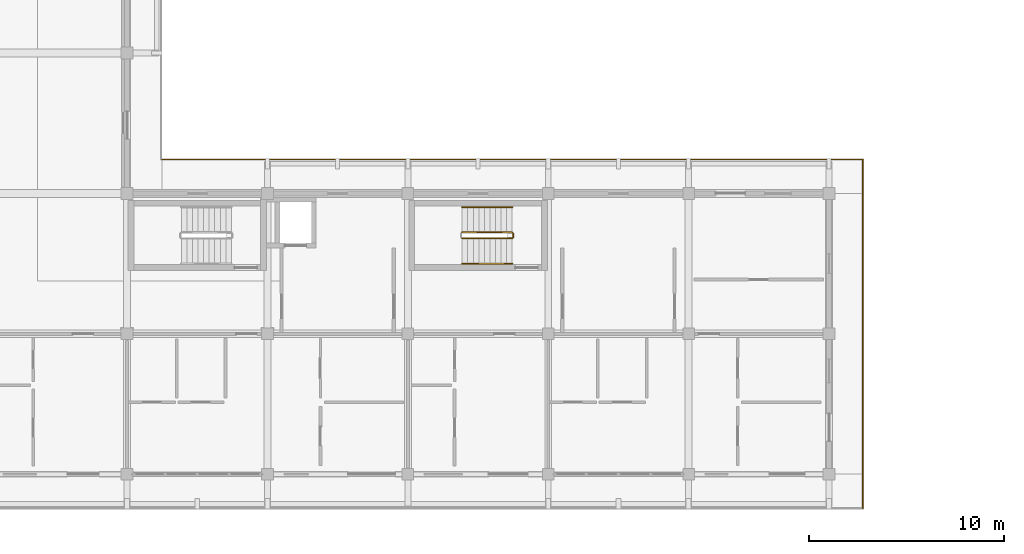
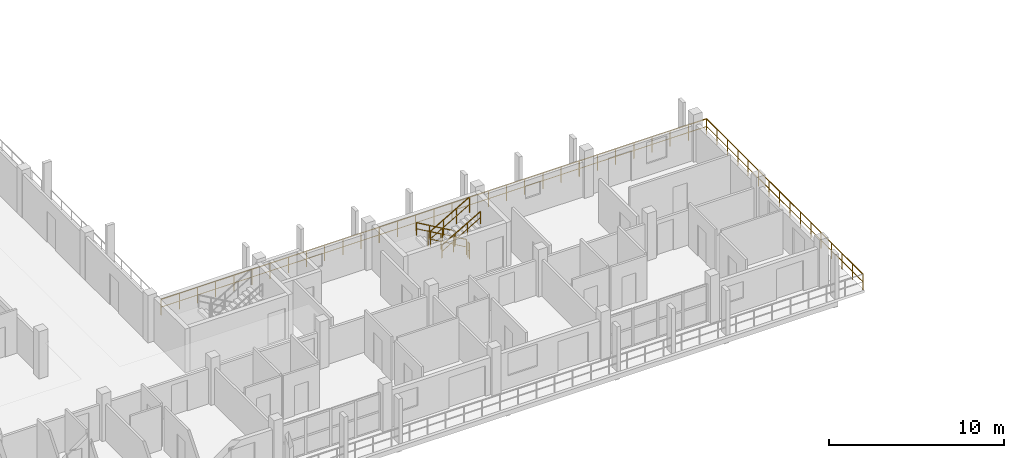
# One storey, part 62 of 75: 7 railings.
"""IFC4 building model written with IfcOpenShell, lengths in metres."""

from ifc_helpers import new_model, si_unit, direction, frame, origin, origin_2d, place, context, subcontext, project, spatial, rectangle, extrude, material, type_object, element, save


model = new_model("IFC4")

# Units and contexts
model_context = context("Model", 3, precision=1e-05, world=origin(), true_north=direction((0.0, 1.0)))
body_context = subcontext(model_context, "Body", "Model", "MODEL_VIEW")
ifc_project = project(units=[si_unit("LENGTHUNIT", "METRE"), si_unit("AREAUNIT", "SQUARE_METRE"), si_unit("VOLUMEUNIT", "CUBIC_METRE"), si_unit("PLANEANGLEUNIT", "RADIAN"), si_unit("MASSUNIT", "GRAM", prefix="KILO")], contexts=[model_context])

# Site, building, storey
site_placement = place(None, origin())
site = spatial("IfcSite", under=ifc_project, at=site_placement, CompositionType="ELEMENT")
building_placement = place(site_placement, origin())
building = spatial("IfcBuilding", under=site, at=building_placement, Name="Suanplinth Sawtooth Commons", CompositionType="ELEMENT")
storey_placement = place(building_placement, frame((0.0, 0.0, 18.60009765625)))
storey = spatial("IfcBuildingStorey", under=building, at=storey_placement, Name="L05", CompositionType="ELEMENT", Elevation=18.60009765625)

# Railings
ifc_material_1 = material(Name="Powder-coated galvanized steel", Category="steel")
railing_type_1 = type_object("IfcRailingType", Name="GR-01", PredefinedType="BALUSTRADE", material=ifc_material_1)
railing_1_placement = place(storey_placement, frame((16.139892578125, 16.139892578125, 0.0)))
element("IfcRailing", 1, at=railing_1_placement, inside=storey, type_object=railing_type_1, Name="L05 Block D Perimeter Balustrade 4", PredefinedType="BALUSTRADE", context=body_context, shape_type="SweptSolid", body=[
    extrude(rectangle(XDim=0.048095703125, YDim=0.048095703125, at=origin_2d()), frame((0.0, 0.0, 1.09619140625), z_axis=(1.0, 0.0, 0.0), x_axis=(0.0, 1.0, 0.0)), (0.0, 0.0, 1.0), 36.0),
    extrude(rectangle(XDim=0.03369140625, YDim=0.03369140625, at=origin_2d()), frame((0.0, 0.0, 0.56005859375), z_axis=(1.0, 0.0, 0.0), x_axis=(0.0, 1.0, 0.0)), (0.0, 0.0, 1.0), 36.0),
    extrude(rectangle(XDim=0.0419921875, YDim=0.0419921875, at=origin_2d()), origin(), (0.0, 0.0, 1.0), 1.072021484375),
    extrude(rectangle(XDim=0.0419921875, YDim=0.0419921875, at=origin_2d()), frame((1.199951171875, 0.0, 0.0)), (0.0, 0.0, 1.0), 1.072021484375),
    extrude(rectangle(XDim=0.0419921875, YDim=0.0419921875, at=origin_2d()), frame((2.39990234375, 0.0, 0.0)), (0.0, 0.0, 1.0), 1.072021484375),
    extrude(rectangle(XDim=0.0419921875, YDim=0.0419921875, at=origin_2d()), frame((3.60009765625, 0.0, 0.0)), (0.0, 0.0, 1.0), 1.072021484375),
    extrude(rectangle(XDim=0.0419921875, YDim=0.0419921875, at=origin_2d()), frame((4.800048828125, 0.0, 0.0)), (0.0, 0.0, 1.0), 1.072021484375),
    extrude(rectangle(XDim=0.0419921875, YDim=0.0419921875, at=origin_2d()), frame((6.0, 0.0, 0.0)), (0.0, 0.0, 1.0), 1.072021484375),
    extrude(rectangle(XDim=0.0419921875, YDim=0.0419921875, at=origin_2d()), frame((7.199951171875, 0.0, 0.0)), (0.0, 0.0, 1.0), 1.072021484375),
    extrude(rectangle(XDim=0.0419921875, YDim=0.0419921875, at=origin_2d()), frame((8.39990234375, 0.0, 0.0)), (0.0, 0.0, 1.0), 1.072021484375),
    extrude(rectangle(XDim=0.0419921875, YDim=0.0419921875, at=origin_2d()), frame((9.60009765625, 0.0, 0.0)), (0.0, 0.0, 1.0), 1.072021484375),
    extrude(rectangle(XDim=0.0419921875, YDim=0.0419921875, at=origin_2d()), frame((10.800048828125, 0.0, 0.0)), (0.0, 0.0, 1.0), 1.072021484375),
    extrude(rectangle(XDim=0.0419921875, YDim=0.0419921875, at=origin_2d()), frame((12.0, 0.0, 0.0)), (0.0, 0.0, 1.0), 1.072021484375),
    extrude(rectangle(XDim=0.0419921875, YDim=0.0419921875, at=origin_2d()), frame((13.199951171875, 0.0, 0.0)), (0.0, 0.0, 1.0), 1.072021484375),
    extrude(rectangle(XDim=0.0419921875, YDim=0.0419921875, at=origin_2d()), frame((14.39990234375, 0.0, 0.0)), (0.0, 0.0, 1.0), 1.072021484375),
    extrude(rectangle(XDim=0.0419921875, YDim=0.0419921875, at=origin_2d()), frame((15.60009765625, 0.0, 0.0)), (0.0, 0.0, 1.0), 1.072021484375),
    extrude(rectangle(XDim=0.0419921875, YDim=0.0419921875, at=origin_2d()), frame((16.800048828125, 0.0, 0.0)), (0.0, 0.0, 1.0), 1.072021484375),
    extrude(rectangle(XDim=0.0419921875, YDim=0.0419921875, at=origin_2d()), frame((18.0, 0.0, 0.0)), (0.0, 0.0, 1.0), 1.072021484375),
    extrude(rectangle(XDim=0.0419921875, YDim=0.0419921875, at=origin_2d()), frame((19.199951171875, 0.0, 0.0)), (0.0, 0.0, 1.0), 1.072021484375),
    extrude(rectangle(XDim=0.0419921875, YDim=0.0419921875, at=origin_2d()), frame((20.39990234375, 0.0, 0.0)), (0.0, 0.0, 1.0), 1.072021484375),
    extrude(rectangle(XDim=0.0419921875, YDim=0.0419921875, at=origin_2d()), frame((21.60009765625, 0.0, 0.0)), (0.0, 0.0, 1.0), 1.072021484375),
    extrude(rectangle(XDim=0.0419921875, YDim=0.0419921875, at=origin_2d()), frame((22.800048828125, 0.0, 0.0)), (0.0, 0.0, 1.0), 1.072021484375),
    extrude(rectangle(XDim=0.0419921875, YDim=0.0419921875, at=origin_2d()), frame((24.0, 0.0, 0.0)), (0.0, 0.0, 1.0), 1.072021484375),
    extrude(rectangle(XDim=0.0419921875, YDim=0.0419921875, at=origin_2d()), frame((25.199951171875, 0.0, 0.0)), (0.0, 0.0, 1.0), 1.072021484375),
    extrude(rectangle(XDim=0.0419921875, YDim=0.0419921875, at=origin_2d()), frame((26.39990234375, 0.0, 0.0)), (0.0, 0.0, 1.0), 1.072021484375),
    extrude(rectangle(XDim=0.0419921875, YDim=0.0419921875, at=origin_2d()), frame((27.60009765625, 0.0, 0.0)), (0.0, 0.0, 1.0), 1.072021484375),
    extrude(rectangle(XDim=0.0419921875, YDim=0.0419921875, at=origin_2d()), frame((28.800048828125, 0.0, 0.0)), (0.0, 0.0, 1.0), 1.072021484375),
    extrude(rectangle(XDim=0.0419921875, YDim=0.0419921875, at=origin_2d()), frame((30.0, 0.0, 0.0)), (0.0, 0.0, 1.0), 1.072021484375),
    extrude(rectangle(XDim=0.0419921875, YDim=0.0419921875, at=origin_2d()), frame((31.199951171875, 0.0, 0.0)), (0.0, 0.0, 1.0), 1.072021484375),
    extrude(rectangle(XDim=0.0419921875, YDim=0.0419921875, at=origin_2d()), frame((32.39990234375, 0.0, 0.0)), (0.0, 0.0, 1.0), 1.072021484375),
    extrude(rectangle(XDim=0.0419921875, YDim=0.0419921875, at=origin_2d()), frame((33.60009765625, 0.0, 0.0)), (0.0, 0.0, 1.0), 1.072021484375),
    extrude(rectangle(XDim=0.0419921875, YDim=0.0419921875, at=origin_2d()), frame((34.800048828125, 0.0, 0.0)), (0.0, 0.0, 1.0), 1.072021484375),
    extrude(rectangle(XDim=0.0419921875, YDim=0.0419921875, at=origin_2d()), frame((36.0, 0.0, 0.0)), (0.0, 0.0, 1.0), 1.072021484375),
])
railing_2_placement = place(storey_placement, frame((52.139892578125, 16.139892578125, 0.0)))
element("IfcRailing", 2, at=railing_2_placement, inside=storey, type_object=railing_type_1, Name="L05 Block D Perimeter Balustrade 5", PredefinedType="BALUSTRADE", context=body_context, shape_type="SweptSolid", body=[
    extrude(rectangle(XDim=0.048095703125, YDim=0.048095703125, at=origin_2d()), frame((0.0, 0.0, 1.09619140625), z_axis=(0.0, -1.0, 0.0), x_axis=(1.0, 0.0, 0.0)), (0.0, 0.0, 1.0), 17.8798828125),
    extrude(rectangle(XDim=0.03369140625, YDim=0.03369140625, at=origin_2d()), frame((0.0, 0.0, 0.56005859375), z_axis=(0.0, -1.0, 0.0), x_axis=(1.0, 0.0, 0.0)), (0.0, 0.0, 1.0), 17.8798828125),
    extrude(rectangle(XDim=0.0419921875, YDim=0.0419921875, at=origin_2d()), origin(), (0.0, 0.0, 1.0), 1.072021484375),
    extrude(rectangle(XDim=0.0419921875, YDim=0.0419921875, at=origin_2d()), frame((0.0, -1.19189453125, 0.0)), (0.0, 0.0, 1.0), 1.072021484375),
    extrude(rectangle(XDim=0.0419921875, YDim=0.0419921875, at=origin_2d()), frame((0.0, -2.384033203125, 0.0)), (0.0, 0.0, 1.0), 1.072021484375),
    extrude(rectangle(XDim=0.0419921875, YDim=0.0419921875, at=origin_2d()), frame((0.0, -3.575927734375, 0.0)), (0.0, 0.0, 1.0), 1.072021484375),
    extrude(rectangle(XDim=0.0419921875, YDim=0.0419921875, at=origin_2d()), frame((0.0, -4.76806640625, 0.0)), (0.0, 0.0, 1.0), 1.072021484375),
    extrude(rectangle(XDim=0.0419921875, YDim=0.0419921875, at=origin_2d()), frame((0.0, -5.9599609375, 0.0)), (0.0, 0.0, 1.0), 1.072021484375),
    extrude(rectangle(XDim=0.0419921875, YDim=0.0419921875, at=origin_2d()), frame((0.0, -7.15185546875, 0.0)), (0.0, 0.0, 1.0), 1.072021484375),
    extrude(rectangle(XDim=0.0419921875, YDim=0.0419921875, at=origin_2d()), frame((0.0, -8.343994140625, 0.0)), (0.0, 0.0, 1.0), 1.072021484375),
    extrude(rectangle(XDim=0.0419921875, YDim=0.0419921875, at=origin_2d()), frame((0.0, -9.535888671875, 0.0)), (0.0, 0.0, 1.0), 1.072021484375),
    extrude(rectangle(XDim=0.0419921875, YDim=0.0419921875, at=origin_2d()), frame((0.0, -10.72802734375, 0.0)), (0.0, 0.0, 1.0), 1.072021484375),
    extrude(rectangle(XDim=0.0419921875, YDim=0.0419921875, at=origin_2d()), frame((0.0, -11.919921875, 0.0)), (0.0, 0.0, 1.0), 1.072021484375),
    extrude(rectangle(XDim=0.0419921875, YDim=0.0419921875, at=origin_2d()), frame((0.0, -13.11181640625, 0.0)), (0.0, 0.0, 1.0), 1.072021484375),
    extrude(rectangle(XDim=0.0419921875, YDim=0.0419921875, at=origin_2d()), frame((0.0, -14.303955078125, 0.0)), (0.0, 0.0, 1.0), 1.072021484375),
    extrude(rectangle(XDim=0.0419921875, YDim=0.0419921875, at=origin_2d()), frame((0.0, -15.495849609375, 0.0)), (0.0, 0.0, 1.0), 1.072021484375),
    extrude(rectangle(XDim=0.0419921875, YDim=0.0419921875, at=origin_2d()), frame((0.0, -16.68798828125, 0.0)), (0.0, 0.0, 1.0), 1.072021484375),
    extrude(rectangle(XDim=0.0419921875, YDim=0.0419921875, at=origin_2d()), frame((0.0, -17.8798828125, 0.0)), (0.0, 0.0, 1.0), 1.072021484375),
])
ifc_material_2 = material(Name="Stainless steel Grade 304", Category="steel")
railing_type_2 = type_object("IfcRailingType", Name="GR-04", PredefinedType="GUARDRAIL", material=ifc_material_2)
railing_3_placement = place(storey_placement, frame((34.14990234375, 12.39990234375, 0.164794921875)))
element("IfcRailing", 3, at=railing_3_placement, inside=storey, type_object=railing_type_2, Name="L05 ST-W2 Guard 1", PredefinedType="GUARDRAIL", context=body_context, shape_type="SweptSolid", body=[
    extrude(rectangle(XDim=0.048095703125, YDim=0.048095703125, at=origin_2d()), frame((0.0, 0.0, 1.076171875), z_axis=(-0.865405606168, 0.0, 0.501071987656), x_axis=(0.0, -1.0, 0.0)), (0.0, 0.0, 1.0), 2.9638671875),
    extrude(rectangle(XDim=0.03369140625, YDim=0.03369140625, at=origin_2d()), frame((0.0, 0.0, 0.550048828125), z_axis=(-0.865405606168, 0.0, 0.501071987656), x_axis=(0.0, -1.0, 0.0)), (0.0, 0.0, 1.0), 2.9638671875),
    extrude(rectangle(XDim=0.0419921875, YDim=0.0419921875, at=origin_2d()), origin(), (0.0, 0.0, 1.0), 1.052001953125),
    extrude(rectangle(XDim=0.0419921875, YDim=0.0419921875, at=origin_2d()), frame((-0.85498046875, 0.0, 0.4951171875)), (0.0, 0.0, 1.0), 1.052001953125),
    extrude(rectangle(XDim=0.0419921875, YDim=0.0419921875, at=origin_2d()), frame((-1.7099609375, 0.0, 0.989990234375)), (0.0, 0.0, 1.0), 1.052001953125),
    extrude(rectangle(XDim=0.0419921875, YDim=0.0419921875, at=origin_2d()), frame((-2.56494140625, 0.0, 1.485107421875)), (0.0, 0.0, 1.0), 1.052001953125),
])
railing_4_placement = place(storey_placement, frame((31.5849609375, 12.10009765625, 1.81494140625)))
element("IfcRailing", 4, at=railing_4_placement, inside=storey, type_object=railing_type_2, Name="L05 ST-W2 Guard 3", PredefinedType="GUARDRAIL", context=body_context, shape_type="SweptSolid", body=[
    extrude(rectangle(XDim=0.048095703125, YDim=0.048095703125, at=origin_2d()), frame((0.0, 0.0, 1.076171875), z_axis=(0.865441324677, 0.0, 0.50101029285), x_axis=(0.0, 1.0, 0.0)), (0.0, 0.0, 1.0), 2.963623046875),
    extrude(rectangle(XDim=0.03369140625, YDim=0.03369140625, at=origin_2d()), frame((0.0, 0.0, 0.550048828125), z_axis=(0.865441324677, 0.0, 0.50101029285), x_axis=(0.0, 1.0, 0.0)), (0.0, 0.0, 1.0), 2.963623046875),
    extrude(rectangle(XDim=0.0419921875, YDim=0.0419921875, at=origin_2d()), origin(), (0.0, 0.0, 1.0), 1.052001953125),
    extrude(rectangle(XDim=0.0419921875, YDim=0.0419921875, at=origin_2d()), frame((0.85498046875, 0.0, 0.494873046875)), (0.0, 0.0, 1.0), 1.052001953125),
    extrude(rectangle(XDim=0.0419921875, YDim=0.0419921875, at=origin_2d()), frame((1.7099609375, 0.0, 0.989990234375)), (0.0, 0.0, 1.0), 1.052001953125),
    extrude(rectangle(XDim=0.0419921875, YDim=0.0419921875, at=origin_2d()), frame((2.56494140625, 0.0, 1.48486328125)), (0.0, 0.0, 1.0), 1.052001953125),
])
railing_5_placement = place(storey_placement, frame((34.199951171875, 12.35009765625, 0.0)))
element("IfcRailing", 5, at=railing_5_placement, inside=storey, type_object=railing_type_2, Name="L05 ST-W2 Guard 4", PredefinedType="GUARDRAIL", context=body_context, shape_type="SweptSolid", body=[
    extrude(rectangle(XDim=0.048095703125, YDim=0.048095703125, at=origin_2d()), frame((0.0, 0.0, 1.076171875), z_axis=(0.0, -1.0, 0.0), x_axis=(1.0, 0.0, 0.0)), (0.0, 0.0, 1.0), 0.2001953125),
    extrude(rectangle(XDim=0.03369140625, YDim=0.03369140625, at=origin_2d()), frame((0.0, 0.0, 0.550048828125), z_axis=(0.0, -1.0, 0.0), x_axis=(1.0, 0.0, 0.0)), (0.0, 0.0, 1.0), 0.2001953125),
    extrude(rectangle(XDim=0.0419921875, YDim=0.0419921875, at=origin_2d()), origin(), (0.0, 0.0, 1.0), 1.052001953125),
    extrude(rectangle(XDim=0.0419921875, YDim=0.0419921875, at=origin_2d()), frame((0.0, -0.2001953125, 0.0)), (0.0, 0.0, 1.0), 1.052001953125),
])
railing_type_3 = type_object("IfcRailingType", Name="HR-01", PredefinedType="HANDRAIL", material=ifc_material_2)
railing_6_placement = place(storey_placement, frame((34.14990234375, 13.699951171875, 0.164794921875)))
element("IfcRailing", 6, at=railing_6_placement, inside=storey, type_object=railing_type_3, Name="L05 ST-W2 Handrail 1", PredefinedType="HANDRAIL", context=body_context, shape_type="SweptSolid", body=[
    extrude(rectangle(XDim=0.048095703125, YDim=0.048095703125, at=origin_2d()), frame((0.0, 0.0, 0.8759765625), z_axis=(-0.865405606168, 0.0, 0.501071987656), x_axis=(0.0, -1.0, 0.0)), (0.0, 0.0, 1.0), 2.9638671875),
    extrude(rectangle(XDim=0.03369140625, YDim=0.03369140625, at=origin_2d()), frame((0.0, 0.0, 0.449951171875), z_axis=(-0.865405606168, 0.0, 0.501071987656), x_axis=(0.0, -1.0, 0.0)), (0.0, 0.0, 1.0), 2.9638671875),
    extrude(rectangle(XDim=0.0419921875, YDim=0.0419921875, at=origin_2d()), origin(), (0.0, 0.0, 1.0), 0.851806640625),
    extrude(rectangle(XDim=0.0419921875, YDim=0.0419921875, at=origin_2d()), frame((-0.85498046875, 0.0, 0.4951171875)), (0.0, 0.0, 1.0), 0.851806640625),
    extrude(rectangle(XDim=0.0419921875, YDim=0.0419921875, at=origin_2d()), frame((-1.7099609375, 0.0, 0.989990234375)), (0.0, 0.0, 1.0), 0.851806640625),
    extrude(rectangle(XDim=0.0419921875, YDim=0.0419921875, at=origin_2d()), frame((-2.56494140625, 0.0, 1.485107421875)), (0.0, 0.0, 1.0), 0.851806640625),
])
railing_7_placement = place(storey_placement, frame((31.5849609375, 10.800048828125, 1.81494140625)))
element("IfcRailing", 7, at=railing_7_placement, inside=storey, type_object=railing_type_3, Name="L05 ST-W2 Handrail 2", PredefinedType="HANDRAIL", context=body_context, shape_type="SweptSolid", body=[
    extrude(rectangle(XDim=0.048095703125, YDim=0.048095703125, at=origin_2d()), frame((0.0, 0.0, 0.8759765625), z_axis=(0.865441324677, 0.0, 0.50101029285), x_axis=(0.0, 1.0, 0.0)), (0.0, 0.0, 1.0), 2.963623046875),
    extrude(rectangle(XDim=0.03369140625, YDim=0.03369140625, at=origin_2d()), frame((0.0, 0.0, 0.449951171875), z_axis=(0.865441324677, 0.0, 0.50101029285), x_axis=(0.0, 1.0, 0.0)), (0.0, 0.0, 1.0), 2.963623046875),
    extrude(rectangle(XDim=0.0419921875, YDim=0.0419921875, at=origin_2d()), origin(), (0.0, 0.0, 1.0), 0.851806640625),
    extrude(rectangle(XDim=0.0419921875, YDim=0.0419921875, at=origin_2d()), frame((0.85498046875, 0.0, 0.494873046875)), (0.0, 0.0, 1.0), 0.851806640625),
    extrude(rectangle(XDim=0.0419921875, YDim=0.0419921875, at=origin_2d()), frame((1.7099609375, 0.0, 0.989990234375)), (0.0, 0.0, 1.0), 0.851806640625),
    extrude(rectangle(XDim=0.0419921875, YDim=0.0419921875, at=origin_2d()), frame((2.56494140625, 0.0, 1.48486328125)), (0.0, 0.0, 1.0), 0.851806640625),
])

save(model, "model.ifc")
